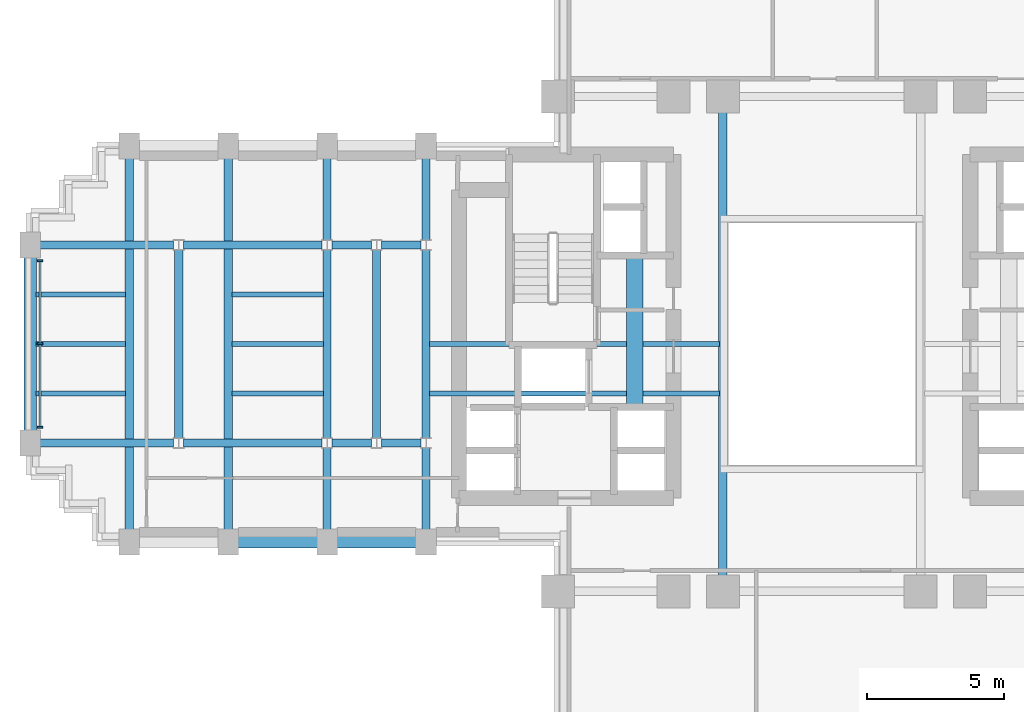
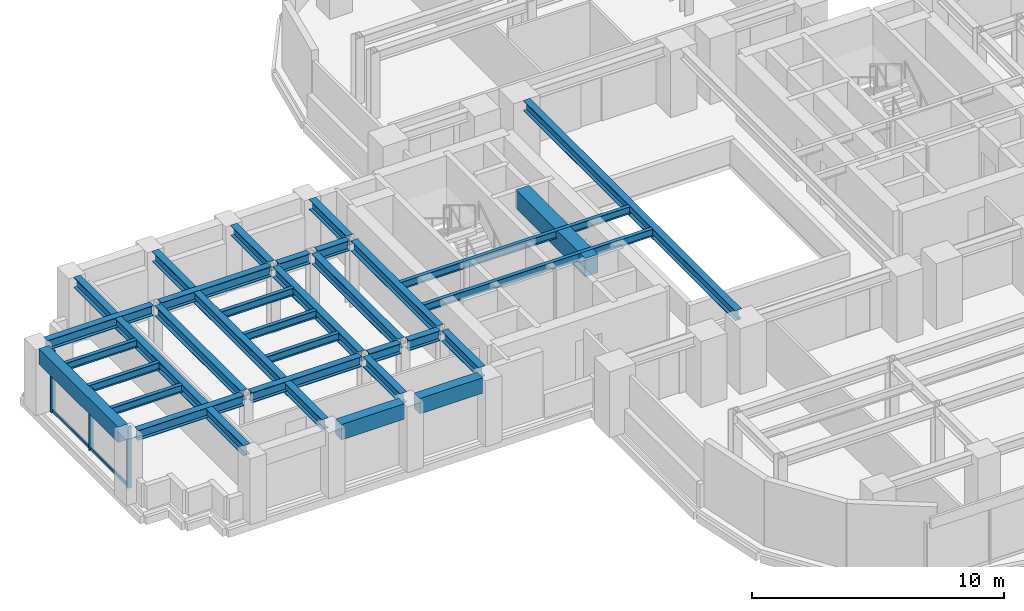
# One storey, part 4 of 16: 31 beams, 5 members, 1 element without a shape of its own.
"""IFC4 building model written with IfcOpenShell, lengths in metres."""

from ifc_helpers import new_model, si_unit, direction, frame, origin, origin_2d, place, context, subcontext, project, spatial, rectangle, i_section, extrude, source, transform, mapped, material, material_profile, profile_set, type_object, element, aggregate, save


model = new_model("IFC4")

# Units and contexts
model_context = context("Model", 3, precision=1e-05, world=origin(), true_north=direction((0.0, 1.0)))
body_context = subcontext(model_context, "Body", "Model", "MODEL_VIEW")
ifc_project = project(units=[si_unit("LENGTHUNIT", "METRE"), si_unit("AREAUNIT", "SQUARE_METRE"), si_unit("VOLUMEUNIT", "CUBIC_METRE"), si_unit("PLANEANGLEUNIT", "RADIAN"), si_unit("MASSUNIT", "GRAM", prefix="KILO")], contexts=[model_context])

# Site, building, storey
site_placement = place(None, origin())
site = spatial("IfcSite", under=ifc_project, at=site_placement, CompositionType="ELEMENT")
building_placement = place(site_placement, origin())
building = spatial("IfcBuilding", under=site, at=building_placement, Name="Keilestroom Media Tower", CompositionType="ELEMENT")
storey_placement = place(building_placement, frame((0.0, 0.0, 34.0)))
storey = spatial("IfcBuildingStorey", under=building, at=storey_placement, Name="L07", CompositionType="ELEMENT", Elevation=34.0)

# Beams
ifc_material_1 = material(Name="Concrete C70/85", Category="concrete")
ifc_material_profile_1 = material_profile(ifc_material_1, rectangle(XDim=0.60009765625, YDim=0.89990234375, at=origin_2d()), Name="RC 600x900")
ifc_profile_set_1 = profile_set([ifc_material_profile_1], Name="Concrete C70/85")
beam_type_1 = type_object("IfcBeamType", Name="Core-Coupling-Lintel-Beam-RC-600x900", PredefinedType="LINTEL", material=ifc_profile_set_1)
shared_shape_1 = source(origin(), body_context, "Body", "SweptSolid", [
    extrude(rectangle(XDim=0.60009765625, YDim=0.89990234375, at=origin_2d()), origin(), (0.0, 0.0, 1.0), 5.52001953125),
])
beam_1_placement = place(storey_placement, frame((-6.800048828125, -2.300048828125, 2.75), z_axis=(0.0, 1.0, 0.0), x_axis=(-1.0, 0.0, 0.0)))
element("IfcBeam", 1, at=beam_1_placement, inside=storey, type_object=beam_type_1, Name="L07 Beam CLB-1 CLB-L07-W", PredefinedType="LINTEL", context=body_context, shape_type="MappedRepresentation", body=[
    mapped(shared_shape_1, transform((0.0, 0.0, 0.0), x_axis=(1.0, 0.0, 0.0), y_axis=(0.0, 1.0, 0.0), z_axis=(0.0, 0.0, 1.0), scale=1.0)),
])
ifc_material_2 = material(Name="Precast concrete C40/50", Category="concrete")
ifc_material_profile_2 = material_profile(ifc_material_2, rectangle(XDim=0.449951171875, YDim=0.75, at=origin_2d()), Name="PC 450x750")
ifc_profile_set_2 = profile_set([ifc_material_profile_2], Name="Precast concrete C40/50")
beam_type_2 = type_object("IfcBeamType", Name="Perimeter-Spandrel-Beam-PC-450x750", PredefinedType="SPANDREL", material=ifc_profile_set_2)
shared_shape_2 = source(origin(), body_context, "Body", "SweptSolid", [
    extrude(rectangle(XDim=0.449951171875, YDim=0.75, at=origin_2d()), origin(), (0.0, 0.0, 1.0), 6.2900390625),
])
beam_2_placement = place(storey_placement, frame((-28.800048828125, -3.14501953125, 2.824951171875), z_axis=(0.0, 1.0, 0.0), x_axis=(-1.0, 0.0, 0.0)))
element("IfcBeam", 2, at=beam_2_placement, inside=storey, type_object=beam_type_2, Name="L07 Beam SPB-1 BM-L07-NS-051", PredefinedType="SPANDREL", context=body_context, shape_type="MappedRepresentation", body=[
    mapped(shared_shape_2, transform((0.0, 0.0, 0.0), x_axis=(1.0, 0.0, 0.0), y_axis=(0.0, 1.0, 0.0), z_axis=(0.0, 0.0, 1.0), scale=1.0)),
])
shared_shape_3 = source(origin(), body_context, "Body", "SweptSolid", [
    extrude(rectangle(XDim=0.449951171875, YDim=0.75, at=origin_2d()), origin(), (0.0, 0.0, 1.0), 2.89013671875),
])
for number, where, z_axis, x_axis, name in (
    (3, (-21.2451171875, -7.199951171875, 2.824951171875), (1.0, 0.0, 0.0), (0.0, 1.0, 0.0), "L07 Beam SPB-1 BM-L07-EW-013"),
    (4, (-17.64501953125, -7.199951171875, 2.824951171875), (1.0, 0.0, 0.0), (0.0, 1.0, 0.0), "L07 Beam SPB-1 BM-L07-EW-014"),
):
    element("IfcBeam", number, at=place(storey_placement, frame(where, z_axis=z_axis, x_axis=x_axis)), inside=storey, type_object=beam_type_2, Name=name, PredefinedType="SPANDREL", context=body_context, shape_type="MappedRepresentation", body=[
        mapped(shared_shape_3, transform((0.0, 0.0, 0.0), x_axis=(1.0, 0.0, 0.0), y_axis=(0.0, 1.0, 0.0), z_axis=(0.0, 0.0, 1.0), scale=1.0)),
    ])
ifc_material_3 = material(Name="Steel S355", Category="steel")
ifc_material_profile_3 = material_profile(ifc_material_3, i_section(OverallWidth=0.300048828125, OverallDepth=0.5, WebThickness=0.012451171875, FlangeThickness=0.028076171875, at=origin_2d()), Name="HEB 500")
ifc_profile_set_3 = profile_set([ifc_material_profile_3], Name="Steel S355")
beam_type_3 = type_object("IfcBeamType", Name="Primary-Structural-Girder-HEB-500", PredefinedType="BEAM", material=ifc_profile_set_3)
shared_shape_4 = source(origin(), body_context, "Body", "SweptSolid", [
    extrude(i_section(OverallWidth=0.300048828125, OverallDepth=0.5, WebThickness=0.012451171875, FlangeThickness=0.028076171875, at=origin_2d()), origin(), (0.0, 0.0, 1.0), 13.490234375),
])
for number, where, z_axis, x_axis, name in (
    (5, (-25.199951171875, -6.7451171875, 2.949951171875), (0.0, 1.0, 0.0), (-1.0, 0.0, 0.0), "L07 Beam BG-6 BM-L07-NS-052"),
    (6, (-21.60009765625, -6.7451171875, 2.949951171875), (0.0, 1.0, 0.0), (-1.0, 0.0, 0.0), "L07 Beam BG-6 BM-L07-NS-054"),
):
    element("IfcBeam", number, at=place(storey_placement, frame(where, z_axis=z_axis, x_axis=x_axis)), inside=storey, type_object=beam_type_3, Name=name, PredefinedType="BEAM", context=body_context, shape_type="MappedRepresentation", body=[
        mapped(shared_shape_4, transform((0.0, 0.0, 0.0), x_axis=(1.0, 0.0, 0.0), y_axis=(0.0, 1.0, 0.0), z_axis=(0.0, 0.0, 1.0), scale=1.0)),
    ])
shared_shape_5 = source(origin(), body_context, "Body", "SweptSolid", [
    extrude(i_section(OverallWidth=0.300048828125, OverallDepth=0.5, WebThickness=0.012451171875, FlangeThickness=0.028076171875, at=origin_2d()), origin(), (0.0, 0.0, 1.0), 6.8330078125),
])
for number, where, z_axis, x_axis, name in (
    (7, (-23.39990234375, -3.41650390625, 2.949951171875), (0.0, 1.0, 0.0), (-1.0, 0.0, 0.0), "L07 Beam BG-6 BM-L07-NS-053"),
    (8, (-18.0, -3.41650390625, 2.949951171875), (0.0, 1.0, 0.0), (-1.0, 0.0, 0.0), "L07 Beam BG-6 BM-L07-NS-056"),
    (9, (-16.199951171875, -3.41650390625, 2.949951171875), (0.0, 1.0, 0.0), (-1.0, 0.0, 0.0), "L07 Beam BG-6 BM-L07-NS-058"),
    (10, (-14.39990234375, -3.41650390625, 2.949951171875), (0.0, 1.0, 0.0), (-1.0, 0.0, 0.0), "L07 Beam BG-6 BM-L07-NS-060"),
):
    element("IfcBeam", number, at=place(storey_placement, frame(where, z_axis=z_axis, x_axis=x_axis)), inside=storey, type_object=beam_type_3, Name=name, PredefinedType="BEAM", context=body_context, shape_type="MappedRepresentation", body=[
        mapped(shared_shape_5, transform((0.0, 0.0, 0.0), x_axis=(1.0, 0.0, 0.0), y_axis=(0.0, 1.0, 0.0), z_axis=(0.0, 0.0, 1.0), scale=1.0)),
    ])
shared_shape_6 = source(origin(), body_context, "Body", "SweptSolid", [
    extrude(i_section(OverallWidth=0.300048828125, OverallDepth=0.5, WebThickness=0.012451171875, FlangeThickness=0.028076171875, at=origin_2d()), origin(), (0.0, 0.0, 1.0), 2.961669921875),
])
for number, where, z_axis, x_axis, name in (
    (11, (-18.0, -6.7451171875, 2.949951171875), (0.0, 1.0, 0.0), (-1.0, 0.0, 0.0), "L07 Beam BG-6 BM-L07-NS-055"),
    (12, (-18.0, 3.783447265625, 2.949951171875), (0.0, 1.0, 0.0), (-1.0, 0.0, 0.0), "L07 Beam BG-6 BM-L07-NS-057"),
    (13, (-14.39990234375, -6.7451171875, 2.949951171875), (0.0, 1.0, 0.0), (-1.0, 0.0, 0.0), "L07 Beam BG-6 BM-L07-NS-059"),
    (14, (-14.39990234375, 3.783447265625, 2.949951171875), (0.0, 1.0, 0.0), (-1.0, 0.0, 0.0), "L07 Beam BG-6 BM-L07-NS-061"),
):
    element("IfcBeam", number, at=place(storey_placement, frame(where, z_axis=z_axis, x_axis=x_axis)), inside=storey, type_object=beam_type_3, Name=name, PredefinedType="BEAM", context=body_context, shape_type="MappedRepresentation", body=[
        mapped(shared_shape_6, transform((0.0, 0.0, 0.0), x_axis=(1.0, 0.0, 0.0), y_axis=(0.0, 1.0, 0.0), z_axis=(0.0, 0.0, 1.0), scale=1.0)),
    ])
shared_shape_7 = source(origin(), body_context, "Body", "SweptSolid", [
    extrude(i_section(OverallWidth=0.300048828125, OverallDepth=0.5, WebThickness=0.012451171875, FlangeThickness=0.028076171875, at=origin_2d()), origin(), (0.0, 0.0, 1.0), 16.83984375),
])
beam_3_placement = place(storey_placement, frame((-3.60009765625, -8.419921875, 2.949951171875), z_axis=(0.0, 1.0, 0.0), x_axis=(-1.0, 0.0, 0.0)))
element("IfcBeam", 15, at=beam_3_placement, inside=storey, type_object=beam_type_3, Name="L07 Beam BG-6 BM-L07-NS-066", PredefinedType="BEAM", context=body_context, shape_type="MappedRepresentation", body=[
    mapped(shared_shape_7, transform((0.0, 0.0, 0.0), x_axis=(1.0, 0.0, 0.0), y_axis=(0.0, 1.0, 0.0), z_axis=(0.0, 0.0, 1.0), scale=1.0)),
])
ifc_material_profile_4 = material_profile(ifc_material_3, i_section(OverallWidth=0.300048828125, OverallDepth=0.489990234375, WebThickness=0.011962890625, FlangeThickness=0.02294921875, at=origin_2d()), Name="HEA 500")
ifc_profile_set_4 = profile_set([ifc_material_profile_4], Name="Steel S355")
beam_type_4 = type_object("IfcBeamType", Name="Primary-Structural-Girder-HEA-500", PredefinedType="BEAM", material=ifc_profile_set_4)
shared_shape_8 = source(origin(), body_context, "Body", "SweptSolid", [
    extrude(i_section(OverallWidth=0.300048828125, OverallDepth=0.489990234375, WebThickness=0.011962890625, FlangeThickness=0.02294921875, at=origin_2d()), origin(), (0.0, 0.0, 1.0), 4.863037109375),
])
for number, where, z_axis, x_axis, name in (
    (16, (-28.445068359375, -3.60009765625, 2.955078125), (1.0, 0.0, 0.0), (0.0, 1.0, 0.0), "L07 Beam BG-10 BM-L07-EW-018"),
    (17, (-28.445068359375, 3.60009765625, 2.955078125), (1.0, 0.0, 0.0), (0.0, 1.0, 0.0), "L07 Beam BG-10 BM-L07-EW-026"),
):
    element("IfcBeam", number, at=place(storey_placement, frame(where, z_axis=z_axis, x_axis=x_axis)), inside=storey, type_object=beam_type_4, Name=name, PredefinedType="BEAM", context=body_context, shape_type="MappedRepresentation", body=[
        mapped(shared_shape_8, transform((0.0, 0.0, 0.0), x_axis=(1.0, 0.0, 0.0), y_axis=(0.0, 1.0, 0.0), z_axis=(0.0, 0.0, 1.0), scale=1.0)),
    ])
shared_shape_9 = source(origin(), body_context, "Body", "SweptSolid", [
    extrude(i_section(OverallWidth=0.300048828125, OverallDepth=0.489990234375, WebThickness=0.011962890625, FlangeThickness=0.02294921875, at=origin_2d()), origin(), (0.0, 0.0, 1.0), 5.0361328125),
])
for number, where, z_axis, x_axis, name in (
    (18, (-23.218017578125, -3.60009765625, 2.955078125), (1.0, 0.0, 0.0), (0.0, 1.0, 0.0), "L07 Beam BG-10 BM-L07-EW-019"),
    (19, (-23.218017578125, 3.60009765625, 2.955078125), (1.0, 0.0, 0.0), (0.0, 1.0, 0.0), "L07 Beam BG-10 BM-L07-EW-027"),
):
    element("IfcBeam", number, at=place(storey_placement, frame(where, z_axis=z_axis, x_axis=x_axis)), inside=storey, type_object=beam_type_4, Name=name, PredefinedType="BEAM", context=body_context, shape_type="MappedRepresentation", body=[
        mapped(shared_shape_9, transform((0.0, 0.0, 0.0), x_axis=(1.0, 0.0, 0.0), y_axis=(0.0, 1.0, 0.0), z_axis=(0.0, 0.0, 1.0), scale=1.0)),
    ])
shared_shape_10 = source(origin(), body_context, "Body", "SweptSolid", [
    extrude(i_section(OverallWidth=0.300048828125, OverallDepth=0.489990234375, WebThickness=0.011962890625, FlangeThickness=0.02294921875, at=origin_2d()), origin(), (0.0, 0.0, 1.0), 1.43603515625),
])
for number, where, z_axis, x_axis, name in (
    (20, (-17.818115234375, -3.60009765625, 2.955078125), (1.0, 0.0, 0.0), (0.0, 1.0, 0.0), "L07 Beam BG-10 BM-L07-EW-020"),
    (21, (-16.01806640625, -3.60009765625, 2.955078125), (1.0, 0.0, 0.0), (0.0, 1.0, 0.0), "L07 Beam BG-10 BM-L07-EW-021"),
    (22, (-17.818115234375, 3.60009765625, 2.955078125), (1.0, 0.0, 0.0), (0.0, 1.0, 0.0), "L07 Beam BG-10 BM-L07-EW-028"),
    (23, (-16.01806640625, 3.60009765625, 2.955078125), (1.0, 0.0, 0.0), (0.0, 1.0, 0.0), "L07 Beam BG-10 BM-L07-EW-029"),
):
    element("IfcBeam", number, at=place(storey_placement, frame(where, z_axis=z_axis, x_axis=x_axis)), inside=storey, type_object=beam_type_4, Name=name, PredefinedType="BEAM", context=body_context, shape_type="MappedRepresentation", body=[
        mapped(shared_shape_10, transform((0.0, 0.0, 0.0), x_axis=(1.0, 0.0, 0.0), y_axis=(0.0, 1.0, 0.0), z_axis=(0.0, 0.0, 1.0), scale=1.0)),
    ])
ifc_material_profile_5 = material_profile(ifc_material_3, i_section(OverallWidth=0.169921875, OverallDepth=0.360107421875, WebThickness=0.008056640625, FlangeThickness=0.0126953125, at=origin_2d()), Name="IPE 360")
ifc_profile_set_5 = profile_set([ifc_material_profile_5], Name="Steel S355")
beam_type_5 = type_object("IfcBeamType", Name="Secondary-Floor-Joist-IPE-360", PredefinedType="JOIST", material=ifc_profile_set_5)
shared_shape_11 = source(origin(), body_context, "Body", "SweptSolid", [
    extrude(i_section(OverallWidth=0.169921875, OverallDepth=0.360107421875, WebThickness=0.008056640625, FlangeThickness=0.0126953125, at=origin_2d()), origin(), (0.0, 0.0, 1.0), 3.264892578125),
])
for number, where, z_axis, x_axis, name in (
    (24, (-28.594970703125, -1.800048828125, 3.02001953125), (1.0, 0.0, 0.0), (0.0, 1.0, 0.0), "L07 Beam BJ-5 JST-L07-089"),
    (25, (-28.594970703125, 0.0, 3.02001953125), (1.0, 0.0, 0.0), (0.0, 1.0, 0.0), "L07 Beam BJ-5 JST-L07-096"),
    (26, (-28.594970703125, 1.800048828125, 3.02001953125), (1.0, 0.0, 0.0), (0.0, 1.0, 0.0), "L07 Beam BJ-5 JST-L07-103"),
):
    element("IfcBeam", number, at=place(storey_placement, frame(where, z_axis=z_axis, x_axis=x_axis)), inside=storey, type_object=beam_type_5, Name=name, PredefinedType="JOIST", context=body_context, shape_type="MappedRepresentation", body=[
        mapped(shared_shape_11, transform((0.0, 0.0, 0.0), x_axis=(1.0, 0.0, 0.0), y_axis=(0.0, 1.0, 0.0), z_axis=(0.0, 0.0, 1.0), scale=1.0)),
    ])
shared_shape_12 = source(origin(), body_context, "Body", "SweptSolid", [
    extrude(i_section(OverallWidth=0.169921875, OverallDepth=0.360107421875, WebThickness=0.008056640625, FlangeThickness=0.0126953125, at=origin_2d()), origin(), (0.0, 0.0, 1.0), 3.340087890625),
])
for number, where, z_axis, x_axis, name in (
    (27, (-21.469970703125, -1.800048828125, 3.02001953125), (1.0, 0.0, 0.0), (0.0, 1.0, 0.0), "L07 Beam BJ-5 JST-L07-090"),
    (28, (-21.469970703125, 0.0, 3.02001953125), (1.0, 0.0, 0.0), (0.0, 1.0, 0.0), "L07 Beam BJ-5 JST-L07-097"),
    (29, (-21.469970703125, 1.800048828125, 3.02001953125), (1.0, 0.0, 0.0), (0.0, 1.0, 0.0), "L07 Beam BJ-5 JST-L07-104"),
):
    element("IfcBeam", number, at=place(storey_placement, frame(where, z_axis=z_axis, x_axis=x_axis)), inside=storey, type_object=beam_type_5, Name=name, PredefinedType="JOIST", context=body_context, shape_type="MappedRepresentation", body=[
        mapped(shared_shape_12, transform((0.0, 0.0, 0.0), x_axis=(1.0, 0.0, 0.0), y_axis=(0.0, 1.0, 0.0), z_axis=(0.0, 0.0, 1.0), scale=1.0)),
    ])
shared_shape_13 = source(origin(), body_context, "Body", "SweptSolid", [
    extrude(i_section(OverallWidth=0.169921875, OverallDepth=0.360107421875, WebThickness=0.008056640625, FlangeThickness=0.0126953125, at=origin_2d()), origin(), (0.0, 0.0, 1.0), 10.5400390625),
])
for number, where, z_axis, x_axis, name in (
    (30, (-14.27001953125, -1.800048828125, 3.02001953125), (1.0, 0.0, 0.0), (0.0, 1.0, 0.0), "L07 Beam BJ-5 JST-L07-091"),
    (31, (-14.27001953125, 0.0, 3.02001953125), (1.0, 0.0, 0.0), (0.0, 1.0, 0.0), "L07 Beam BJ-5 JST-L07-098"),
):
    element("IfcBeam", number, at=place(storey_placement, frame(where, z_axis=z_axis, x_axis=x_axis)), inside=storey, type_object=beam_type_5, Name=name, PredefinedType="JOIST", context=body_context, shape_type="MappedRepresentation", body=[
        mapped(shared_shape_13, transform((0.0, 0.0, 0.0), x_axis=(1.0, 0.0, 0.0), y_axis=(0.0, 1.0, 0.0), z_axis=(0.0, 0.0, 1.0), scale=1.0)),
    ])

# Curtain wall, members
ifc_material_4 = material(Name="Anodised Aluminium Alloy", Category="aluminium")
curtain_wall_type = type_object("IfcCurtainWallType", Name="Unitised-Curtain-Wall-CW-1", PredefinedType="NOTDEFINED", material=ifc_material_4)
curtain_wall_placement = place(storey_placement, origin())
curtain_wall = element("IfcCurtainWall", 32, at=curtain_wall_placement, inside=storey, type_object=curtain_wall_type, Name="L07 Curtain Wall CW-1 CW-L07-W-1", PredefinedType="NOTDEFINED")
ifc_material_profile_6 = material_profile(ifc_material_4, rectangle(XDim=0.070068359375, YDim=0.199951171875, at=origin_2d()), Name="ALU MULLION 70x200")
ifc_profile_set_6 = profile_set([ifc_material_profile_6], Name="Anodised Aluminium Alloy")
member_type_1 = type_object("IfcMemberType", Name="Curtain-Wall-Mullion-CW-1", PredefinedType="MULLION", material=ifc_profile_set_6)
shared_shape_14 = source(origin(), body_context, "Body", "SweptSolid", [
    extrude(rectangle(XDim=0.070068359375, YDim=0.199951171875, at=origin_2d()), origin(), (0.0, 0.0, 1.0), 2.97998046875),
])
member_1_placement = place(storey_placement, frame((-28.449951171875, -3.030029296875, 0.0), z_axis=(0.0, 0.0, 1.0), x_axis=(0.0, 1.0, 0.0)))
member_1 = element("IfcMember", 33, at=member_1_placement, type_object=member_type_1, Name="CW-1 Mullion 00", PredefinedType="MULLION", context=body_context, shape_type="MappedRepresentation", body=[
    mapped(shared_shape_14, transform((0.0, 0.0, 0.0), x_axis=(1.0, 0.0, 0.0), y_axis=(0.0, 1.0, 0.0), z_axis=(0.0, 0.0, 1.0), scale=1.0)),
])
member_2_placement = place(storey_placement, frame((-28.449951171875, 0.0, 0.0), z_axis=(0.0, 0.0, 1.0), x_axis=(0.0, 1.0, 0.0)))
member_2 = element("IfcMember", 34, at=member_2_placement, type_object=member_type_1, Name="CW-1 Mullion 01", PredefinedType="MULLION", context=body_context, shape_type="MappedRepresentation", body=[
    mapped(shared_shape_14, transform((0.0, 0.0, 0.0), x_axis=(1.0, 0.0, 0.0), y_axis=(0.0, 1.0, 0.0), z_axis=(0.0, 0.0, 1.0), scale=1.0)),
])
member_3_placement = place(storey_placement, frame((-28.449951171875, 3.030029296875, 0.0), z_axis=(0.0, 0.0, 1.0), x_axis=(0.0, 1.0, 0.0)))
member_3 = element("IfcMember", 35, at=member_3_placement, type_object=member_type_1, Name="CW-1 Mullion 02", PredefinedType="MULLION", context=body_context, shape_type="MappedRepresentation", body=[
    mapped(shared_shape_14, transform((0.0, 0.0, 0.0), x_axis=(1.0, 0.0, 0.0), y_axis=(0.0, 1.0, 0.0), z_axis=(0.0, 0.0, 1.0), scale=1.0)),
])
ifc_material_profile_7 = material_profile(ifc_material_4, rectangle(XDim=0.06494140625, YDim=0.14990234375, at=origin_2d()), Name="ALU TRANSOM 65x150")
ifc_profile_set_7 = profile_set([ifc_material_profile_7], Name="Anodised Aluminium Alloy")
member_type_2 = type_object("IfcMemberType", Name="Curtain-Wall-Transom-CW-1", PredefinedType="USERDEFINED", material=ifc_profile_set_7)
shared_shape_15 = source(origin(), body_context, "Body", "SweptSolid", [
    extrude(rectangle(XDim=0.06494140625, YDim=0.14990234375, at=origin_2d()), origin(), (0.0, 0.0, 1.0), 2.964111328125),
])
member_4_placement = place(storey_placement, frame((-28.449951171875, -2.9970703125, 0.074951171875), z_axis=(0.0, 1.0, 0.0), x_axis=(-1.0, 0.0, 0.0)))
member_4 = element("IfcMember", 36, at=member_4_placement, type_object=member_type_2, Name="CW-1 Transom 00.1", ObjectType="TRANSOM", PredefinedType="USERDEFINED", context=body_context, shape_type="MappedRepresentation", body=[
    mapped(shared_shape_15, transform((0.0, 0.0, 0.0), x_axis=(1.0, 0.0, 0.0), y_axis=(0.0, 1.0, 0.0), z_axis=(0.0, 0.0, 1.0), scale=1.0)),
])
member_5_placement = place(storey_placement, frame((-28.449951171875, 0.032958984375, 0.074951171875), z_axis=(0.0, 1.0, 0.0), x_axis=(-1.0, 0.0, 0.0)))
member_5 = element("IfcMember", 37, at=member_5_placement, type_object=member_type_2, Name="CW-1 Transom 01.1", ObjectType="TRANSOM", PredefinedType="USERDEFINED", context=body_context, shape_type="MappedRepresentation", body=[
    mapped(shared_shape_15, transform((0.0, 0.0, 0.0), x_axis=(1.0, 0.0, 0.0), y_axis=(0.0, 1.0, 0.0), z_axis=(0.0, 0.0, 1.0), scale=1.0)),
])
aggregate(curtain_wall, [member_1, member_2, member_3, member_4, member_5])

save(model, "model.ifc")
